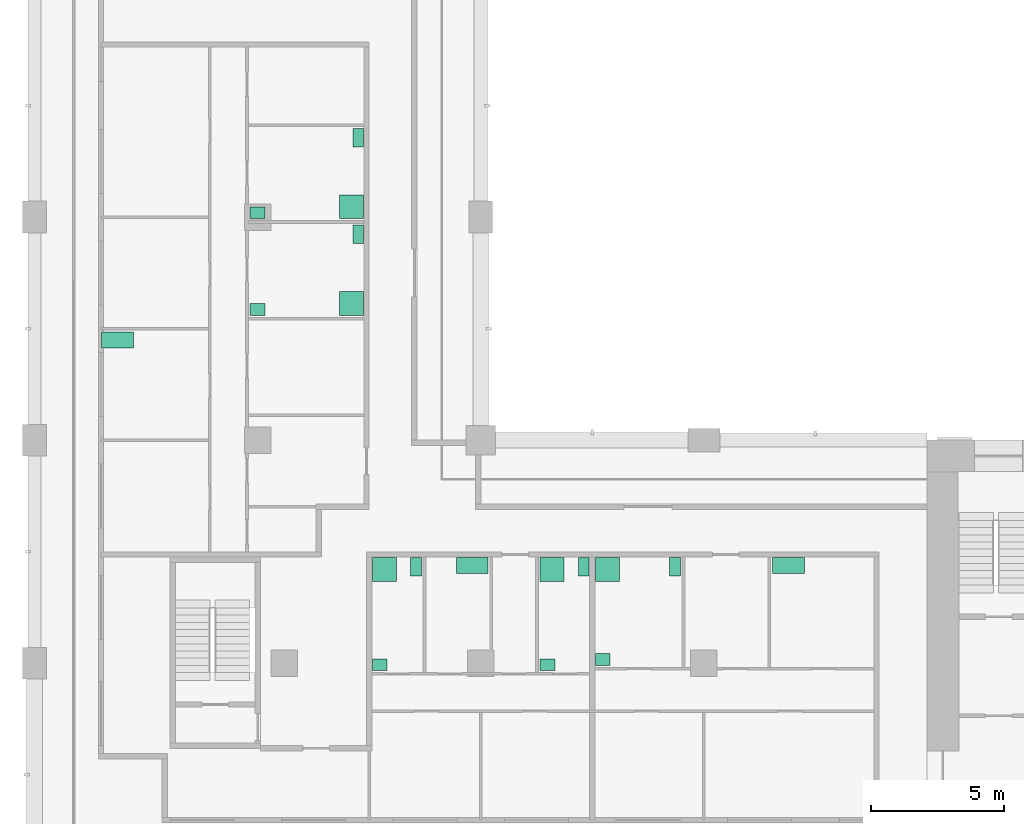
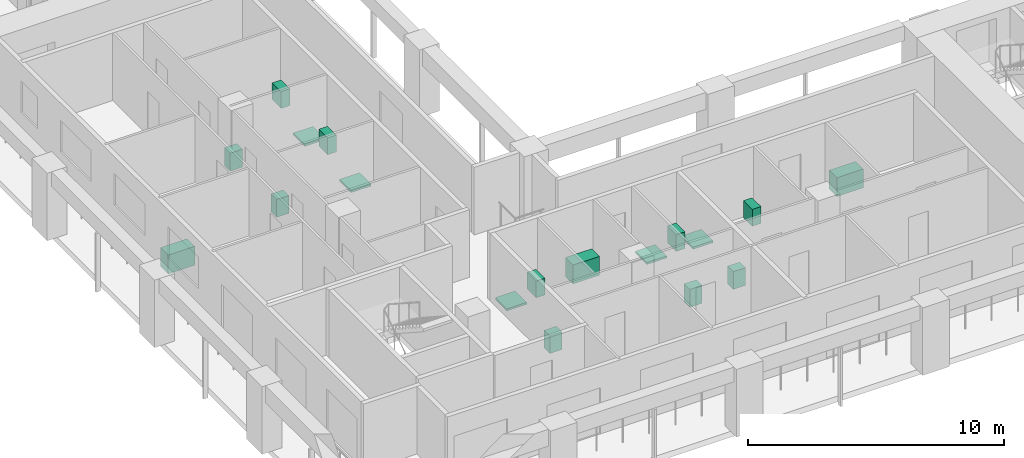
# One storey, part 10 of 10: 18 sanitary terminals.
"""IFC4 building model written with IfcOpenShell, lengths in metres."""

from ifc_helpers import new_model, si_unit, direction, frame, origin, origin_2d, place, context, subcontext, project, spatial, rectangle, extrude, material, element, save


model = new_model("IFC4")

# Units and contexts
model_context = context("Model", 3, precision=1e-05, world=origin(), true_north=direction((0.0, 1.0)))
body_context = subcontext(model_context, "Body", "Model", "MODEL_VIEW")
ifc_project = project(units=[si_unit("LENGTHUNIT", "METRE"), si_unit("AREAUNIT", "SQUARE_METRE"), si_unit("VOLUMEUNIT", "CUBIC_METRE"), si_unit("PLANEANGLEUNIT", "RADIAN"), si_unit("MASSUNIT", "GRAM", prefix="KILO")], contexts=[model_context])

# Site, building, storey
site_placement = place(None, origin())
site = spatial("IfcSite", under=ifc_project, at=site_placement, CompositionType="ELEMENT")
building_placement = place(site_placement, origin())
building = spatial("IfcBuilding", under=site, at=building_placement, Name="Vermilion Gate Residences", CompositionType="ELEMENT")
storey_placement = place(building_placement, frame((0.0, 0.0, 168.699951171875)))
storey = spatial("IfcBuildingStorey", under=building, at=storey_placement, Name="L43", CompositionType="ELEMENT", Elevation=168.699951171875)

# Sanitary terminals
ifc_material_1 = material(Name="Vitreous china")
sanitary_terminal_1_placement = place(storey_placement, frame((21.570068359375, 20.330078125, 0.0), z_axis=(0.0, 0.0, 1.0), x_axis=(1.0, 0.0, 0.0)))
element("IfcSanitaryTerminal", 1, at=sanitary_terminal_1_placement, inside=storey, material=ifc_material_1, Name="Shower tray", PredefinedType="SHOWER", context=body_context, shape_type="SweptSolid", body=[
    extrude(rectangle(XDim=0.89990234375, YDim=0.89990234375, at=origin_2d()), origin(), (0.0, 0.0, 1.0), 0.10009765625),
])
sanitary_terminal_2_placement = place(storey_placement, frame((22.760009765625, 20.429931640625, 0.0), z_axis=(0.0, 0.0, 1.0), x_axis=(1.0, 0.0, 0.0)))
element("IfcSanitaryTerminal", 2, at=sanitary_terminal_2_placement, inside=storey, material=ifc_material_1, Name="Toilet", PredefinedType="TOILETPAN", context=body_context, shape_type="SweptSolid", body=[
    extrude(rectangle(XDim=0.39990234375, YDim=0.699951171875, at=origin_2d()), origin(), (0.0, 0.0, 1.0), 0.800048828125),
])
sanitary_terminal_3_placement = place(storey_placement, frame((21.39501953125, 16.7451171875, 0.0), z_axis=(0.0, 0.0, 1.0), x_axis=(1.0, 0.0, 0.0)))
element("IfcSanitaryTerminal", 3, at=sanitary_terminal_3_placement, inside=storey, material=ifc_material_1, Name="Wash basin", PredefinedType="WASHHANDBASIN", context=body_context, shape_type="SweptSolid", body=[
    extrude(rectangle(XDim=0.550048828125, YDim=0.449951171875, at=origin_2d()), origin(), (0.0, 0.0, 1.0), 0.85009765625),
])
ifc_material_2 = material(Name="Stainless steel", Category="steel")
sanitary_terminal_4_placement = place(storey_placement, frame((24.8798828125, 20.47998046875, 0.0), z_axis=(0.0, 0.0, 1.0), x_axis=(1.0, 0.0, 0.0)))
element("IfcSanitaryTerminal", 4, at=sanitary_terminal_4_placement, inside=storey, material=ifc_material_2, Name="Kitchen sink", PredefinedType="SINK", context=body_context, shape_type="SweptSolid", body=[
    extrude(rectangle(XDim=1.199951171875, YDim=0.60009765625, at=origin_2d()), origin(), (0.0, 0.0, 1.0), 0.89990234375),
])
sanitary_terminal_5_placement = place(storey_placement, frame((27.889892578125, 20.330078125, 0.0), z_axis=(0.0, 0.0, 1.0), x_axis=(1.0, 0.0, 0.0)))
element("IfcSanitaryTerminal", 5, at=sanitary_terminal_5_placement, inside=storey, material=ifc_material_1, Name="Shower tray", PredefinedType="SHOWER", context=body_context, shape_type="SweptSolid", body=[
    extrude(rectangle(XDim=0.89990234375, YDim=0.89990234375, at=origin_2d()), origin(), (0.0, 0.0, 1.0), 0.10009765625),
])
sanitary_terminal_6_placement = place(storey_placement, frame((29.080078125, 20.429931640625, 0.0), z_axis=(0.0, 0.0, 1.0), x_axis=(1.0, 0.0, 0.0)))
element("IfcSanitaryTerminal", 6, at=sanitary_terminal_6_placement, inside=storey, material=ifc_material_1, Name="Toilet", PredefinedType="TOILETPAN", context=body_context, shape_type="SweptSolid", body=[
    extrude(rectangle(XDim=0.39990234375, YDim=0.699951171875, at=origin_2d()), origin(), (0.0, 0.0, 1.0), 0.800048828125),
])
sanitary_terminal_7_placement = place(storey_placement, frame((27.715087890625, 16.7451171875, 0.0), z_axis=(0.0, 0.0, 1.0), x_axis=(1.0, 0.0, 0.0)))
element("IfcSanitaryTerminal", 7, at=sanitary_terminal_7_placement, inside=storey, material=ifc_material_1, Name="Wash basin", PredefinedType="WASHHANDBASIN", context=body_context, shape_type="SweptSolid", body=[
    extrude(rectangle(XDim=0.550048828125, YDim=0.449951171875, at=origin_2d()), origin(), (0.0, 0.0, 1.0), 0.85009765625),
])
sanitary_terminal_8_placement = place(storey_placement, frame((29.969970703125, 20.330078125, 0.0), z_axis=(0.0, 0.0, 1.0), x_axis=(1.0, 0.0, 0.0)))
element("IfcSanitaryTerminal", 8, at=sanitary_terminal_8_placement, inside=storey, material=ifc_material_1, Name="Shower tray", PredefinedType="SHOWER", context=body_context, shape_type="SweptSolid", body=[
    extrude(rectangle(XDim=0.89990234375, YDim=0.89990234375, at=origin_2d()), origin(), (0.0, 0.0, 1.0), 0.10009765625),
])
sanitary_terminal_9_placement = place(storey_placement, frame((32.512939453125, 20.429931640625, 0.0), z_axis=(0.0, 0.0, 1.0), x_axis=(1.0, 0.0, 0.0)))
element("IfcSanitaryTerminal", 9, at=sanitary_terminal_9_placement, inside=storey, material=ifc_material_1, Name="Toilet", PredefinedType="TOILETPAN", context=body_context, shape_type="SweptSolid", body=[
    extrude(rectangle(XDim=0.39990234375, YDim=0.699951171875, at=origin_2d()), origin(), (0.0, 0.0, 1.0), 0.800048828125),
])
sanitary_terminal_10_placement = place(storey_placement, frame((29.794921875, 16.945068359375, 0.0), z_axis=(0.0, 0.0, 1.0), x_axis=(1.0, 0.0, 0.0)))
element("IfcSanitaryTerminal", 10, at=sanitary_terminal_10_placement, inside=storey, material=ifc_material_1, Name="Wash basin", PredefinedType="WASHHANDBASIN", context=body_context, shape_type="SweptSolid", body=[
    extrude(rectangle(XDim=0.550048828125, YDim=0.449951171875, at=origin_2d()), origin(), (0.0, 0.0, 1.0), 0.85009765625),
])
for number, where, z_axis, x_axis, name in (
    (11, (36.787109375, 20.47998046875, 0.0), (0.0, 0.0, 1.0), (1.0, 0.0, 0.0), "Kitchen sink"),
    (12, (11.52001953125, 28.97998046875, 0.0), (0.0, 0.0, 1.0), (1.0, 0.0, 0.0), "Kitchen sink"),
):
    element("IfcSanitaryTerminal", number, at=place(storey_placement, frame(where, z_axis=z_axis, x_axis=x_axis)), inside=storey, material=ifc_material_2, Name=name, PredefinedType="SINK", context=body_context, shape_type="SweptSolid", body=[
        extrude(rectangle(XDim=1.199951171875, YDim=0.60009765625, at=origin_2d()), origin(), (0.0, 0.0, 1.0), 0.89990234375),
    ])
sanitary_terminal_11_placement = place(storey_placement, frame((20.330078125, 30.35009765625, 0.0), z_axis=(0.0, 0.0, 1.0), x_axis=(1.0, 0.0, 0.0)))
element("IfcSanitaryTerminal", 13, at=sanitary_terminal_11_placement, inside=storey, material=ifc_material_1, Name="Shower tray", PredefinedType="SHOWER", context=body_context, shape_type="SweptSolid", body=[
    extrude(rectangle(XDim=0.89990234375, YDim=0.89990234375, at=origin_2d()), origin(), (0.0, 0.0, 1.0), 0.10009765625),
])
sanitary_terminal_12_placement = place(storey_placement, frame((20.580078125, 32.949951171875, 0.0), z_axis=(0.0, 0.0, 1.0), x_axis=(1.0, 0.0, 0.0)))
element("IfcSanitaryTerminal", 14, at=sanitary_terminal_12_placement, inside=storey, material=ifc_material_1, Name="Toilet", PredefinedType="TOILETPAN", context=body_context, shape_type="SweptSolid", body=[
    extrude(rectangle(XDim=0.39990234375, YDim=0.699951171875, at=origin_2d()), origin(), (0.0, 0.0, 1.0), 0.800048828125),
])
sanitary_terminal_13_placement = place(storey_placement, frame((16.794921875, 30.125, 0.0), z_axis=(0.0, 0.0, 1.0), x_axis=(1.0, 0.0, 0.0)))
element("IfcSanitaryTerminal", 15, at=sanitary_terminal_13_placement, inside=storey, material=ifc_material_1, Name="Wash basin", PredefinedType="WASHHANDBASIN", context=body_context, shape_type="SweptSolid", body=[
    extrude(rectangle(XDim=0.550048828125, YDim=0.449951171875, at=origin_2d()), origin(), (0.0, 0.0, 1.0), 0.85009765625),
])
sanitary_terminal_14_placement = place(storey_placement, frame((20.330078125, 33.989990234375, 0.0), z_axis=(0.0, 0.0, 1.0), x_axis=(1.0, 0.0, 0.0)))
element("IfcSanitaryTerminal", 16, at=sanitary_terminal_14_placement, inside=storey, material=ifc_material_1, Name="Shower tray", PredefinedType="SHOWER", context=body_context, shape_type="SweptSolid", body=[
    extrude(rectangle(XDim=0.89990234375, YDim=0.89990234375, at=origin_2d()), origin(), (0.0, 0.0, 1.0), 0.10009765625),
])
sanitary_terminal_15_placement = place(storey_placement, frame((20.580078125, 36.590087890625, 0.0), z_axis=(0.0, 0.0, 1.0), x_axis=(1.0, 0.0, 0.0)))
element("IfcSanitaryTerminal", 17, at=sanitary_terminal_15_placement, inside=storey, material=ifc_material_1, Name="Toilet", PredefinedType="TOILETPAN", context=body_context, shape_type="SweptSolid", body=[
    extrude(rectangle(XDim=0.39990234375, YDim=0.699951171875, at=origin_2d()), origin(), (0.0, 0.0, 1.0), 0.800048828125),
])
sanitary_terminal_16_placement = place(storey_placement, frame((16.794921875, 33.764892578125, 0.0), z_axis=(0.0, 0.0, 1.0), x_axis=(1.0, 0.0, 0.0)))
element("IfcSanitaryTerminal", 18, at=sanitary_terminal_16_placement, inside=storey, material=ifc_material_1, Name="Wash basin", PredefinedType="WASHHANDBASIN", context=body_context, shape_type="SweptSolid", body=[
    extrude(rectangle(XDim=0.550048828125, YDim=0.449951171875, at=origin_2d()), origin(), (0.0, 0.0, 1.0), 0.85009765625),
])

save(model, "model.ifc")
